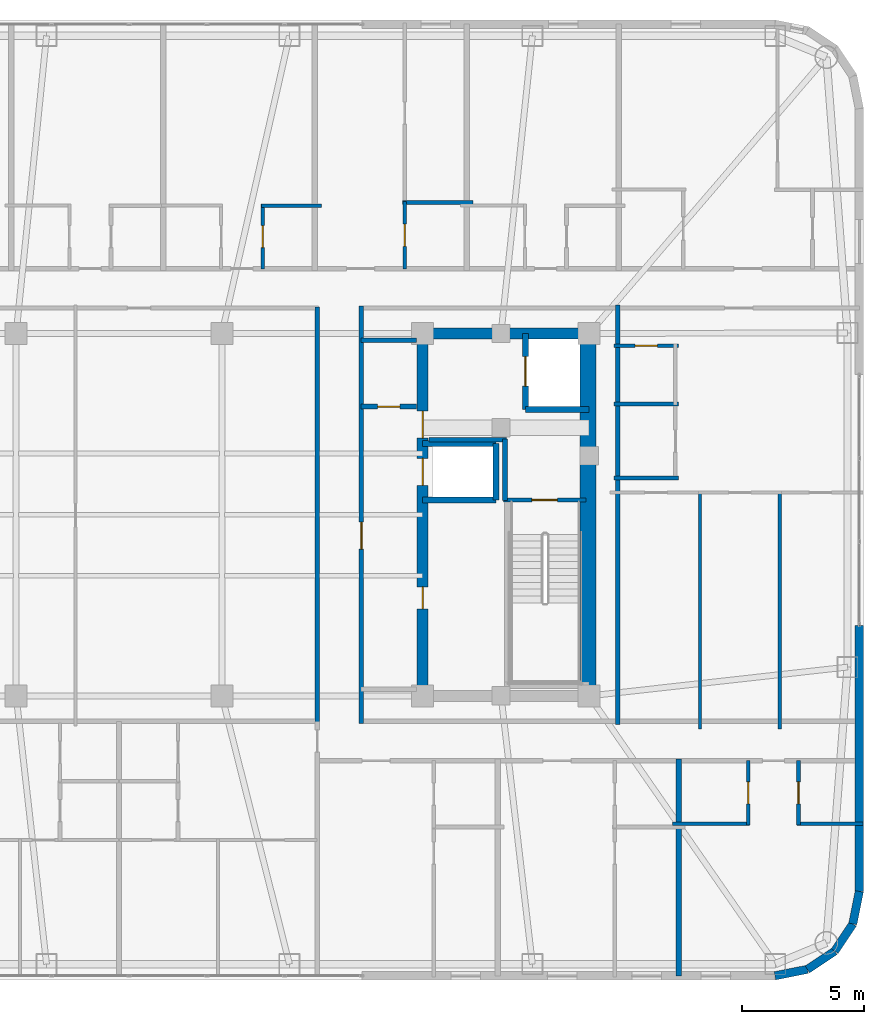
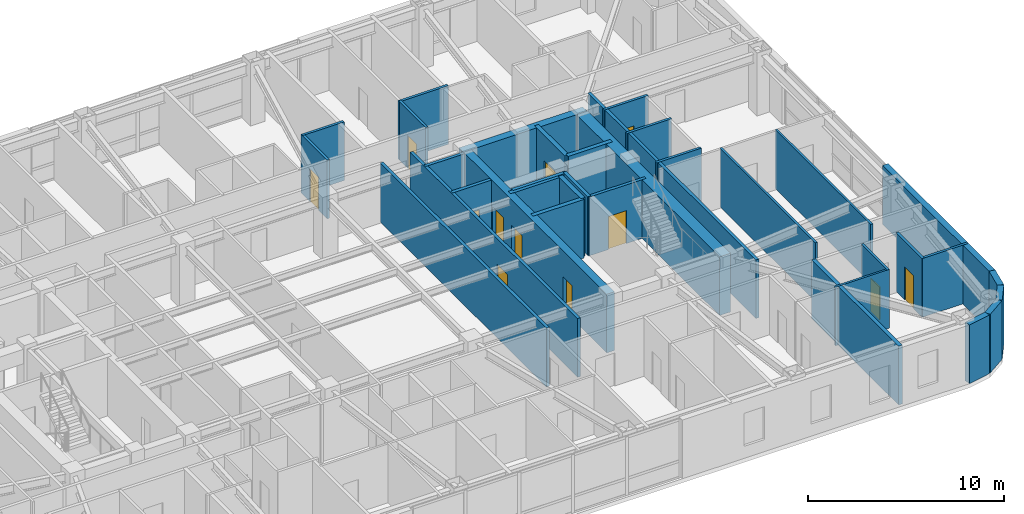
# One storey, part 25 of 29: 35 walls, 12 doors, 12 openings.
"""IFC4 building model written with IfcOpenShell, lengths in metres."""

from ifc_helpers import new_model, si_unit, direction, frame, frame_2d, origin, place, context, subcontext, project, spatial, rectangle, extrude, material, layer, layer_set, type_object, element, fill, save


model = new_model("IFC4")

# Units and contexts
model_context = context("Model", 3, precision=1e-05, world=origin(), true_north=direction((0.0, 1.0)))
body_context = subcontext(model_context, "Body", "Model", "MODEL_VIEW")
ifc_project = project(units=[si_unit("LENGTHUNIT", "METRE"), si_unit("AREAUNIT", "SQUARE_METRE"), si_unit("VOLUMEUNIT", "CUBIC_METRE"), si_unit("PLANEANGLEUNIT", "RADIAN"), si_unit("MASSUNIT", "GRAM", prefix="KILO")], contexts=[model_context])

# Site, building, storey
site_placement = place(None, origin())
site = spatial("IfcSite", under=ifc_project, at=site_placement, CompositionType="ELEMENT")
building_placement = place(site_placement, origin())
building = spatial("IfcBuilding", under=site, at=building_placement, Name="Voryun Gate Residences", CompositionType="ELEMENT")
storey_placement = place(building_placement, frame((0.0, 0.0, 211.89990234375)))
storey = spatial("IfcBuildingStorey", under=building, at=storey_placement, Name="L52", CompositionType="ELEMENT", Elevation=211.89990234375)

# Wall
ifc_material_1 = material(Name="Concrete C50/60", Category="concrete")
ifc_layer_1 = layer(ifc_material_1, 0.449951171875, Name="CW_CORE_450")
ifc_layer_set_1 = layer_set([ifc_layer_1], Name="Concrete C50/60")
wall_type_1 = type_object("IfcWallType", Name="CW_CORE_450", PredefinedType="SHEAR", material=ifc_layer_set_1)
wall_1_placement = place(storey_placement, frame((12.175048828125, 7.39990234375, 0.0), z_axis=(0.0, 0.0, 1.0), x_axis=(1.0, 0.0, 0.0)))
element("IfcWall", 1, at=wall_1_placement, inside=storey, type_object=wall_type_1, Name="L52 Core shear wall CW-L52-EN", PredefinedType="SHEAR", context=body_context, shape_type="SweptSolid", body=[
    extrude(rectangle(XDim=7.25, YDim=0.449951171875, at=frame_2d((3.625, 0.0))), origin(), (0.0, 0.0, 1.0), 3.650146484375),
])

# Wall, openings, doors
wall_2_placement = place(storey_placement, frame((12.39990234375, -7.39990234375, 0.0), z_axis=(0.0, 0.0, 1.0), x_axis=(0.0, 1.0, 0.0)))
wall_2 = element("IfcWall", 2, at=wall_2_placement, inside=storey, type_object=wall_type_1, Name="L52 Core shear wall CW-L52-EW", PredefinedType="SHEAR", context=body_context, shape_type="SweptSolid", body=[
    extrude(rectangle(XDim=14.7998046875, YDim=0.449951171875, at=frame_2d((7.39990234375, 0.0))), origin(), (0.0, 0.0, 1.0), 3.650146484375),
])
opening_1_placement = place(wall_2_placement, frame((8.60009765625, 0.0, 0.0)))
opening_1 = element("IfcOpeningElement", 3, at=opening_1_placement, cuts=wall_2, Name="Opening LD2", PredefinedType="OPENING", context=body_context, shape_type="SweptSolid", body=[
    extrude(rectangle(XDim=1.10009765625, YDim=2.050048828125, at=frame_2d((0.550048828125, 1.02490234375))), frame((0.0, 0.235107421875, 0.0), z_axis=(0.0, -1.0, 0.0), x_axis=(1.0, 0.0, 0.0)), (0.0, 0.0, 1.0), 0.469970703125),
])
opening_2_placement = place(wall_2_placement, frame((10.530029296875, 0.0, 0.0)))
opening_2 = element("IfcOpeningElement", 4, at=opening_2_placement, cuts=wall_2, Name="Opening D-FD60-2", PredefinedType="OPENING", context=body_context, shape_type="SweptSolid", body=[
    extrude(rectangle(XDim=1.10009765625, YDim=2.050048828125, at=frame_2d((0.550048828125, 1.02490234375))), frame((0.0, 0.235107421875, 0.0), z_axis=(0.0, -1.0, 0.0), x_axis=(1.0, 0.0, 0.0)), (0.0, 0.0, 1.0), 0.469970703125),
])
opening_3_placement = place(wall_2_placement, frame((3.550048828125, 0.0, 0.0)))
opening_3 = element("IfcOpeningElement", 5, at=opening_3_placement, cuts=wall_2, Name="Opening D-FD60-4", PredefinedType="OPENING", context=body_context, shape_type="SweptSolid", body=[
    extrude(rectangle(XDim=0.89990234375, YDim=2.050048828125, at=frame_2d((0.449951171875, 1.02490234375))), frame((0.0, 0.235107421875, 0.0), z_axis=(0.0, -1.0, 0.0), x_axis=(1.0, 0.0, 0.0)), (0.0, 0.0, 1.0), 0.469970703125),
])
ifc_material_2 = material(Name="Painted steel fire door", Category="steel")
door_type_1 = type_object("IfcDoorType", Name="DR_FD60_FFLOB_1100", OperationType="NOTDEFINED", PredefinedType="DOOR", material=ifc_material_2)
door_1_placement = place(opening_2_placement, origin())
door_1 = element("IfcDoor", 6, at=door_1_placement, inside=storey, type_object=door_type_1, Name="Door DR-L52-CLOB-E", OperationType="SINGLE_SWING_RIGHT", OverallHeight=2.050048828125, OverallWidth=1.10009765625, PredefinedType="DOOR", context=body_context, shape_type="SweptSolid", body=[
    extrude(rectangle(XDim=1.10009765625, YDim=2.050048828125, at=frame_2d((0.550048828125, 1.02490234375))), frame((0.0, 0.02490234375, 0.0), z_axis=(0.0, -1.0, 0.0), x_axis=(1.0, 0.0, 0.0)), (0.0, 0.0, 1.0), 0.050048828125),
])
fill(opening_2, door_1)
ifc_material_3 = material(Name="Painted steel fire door", Category="steel")
door_type_2 = type_object("IfcDoorType", Name="DR_FD60_RISER_900", OperationType="NOTDEFINED", PredefinedType="DOOR", material=ifc_material_3)
door_2_placement = place(opening_3_placement, origin())
door_2 = element("IfcDoor", 7, at=door_2_placement, inside=storey, type_object=door_type_2, Name="Door DR-L52-RECE-HI", OperationType="SINGLE_SWING_RIGHT", OverallHeight=2.050048828125, OverallWidth=0.89990234375, PredefinedType="DOOR", context=body_context, shape_type="SweptSolid", body=[
    extrude(rectangle(XDim=0.89990234375, YDim=2.050048828125, at=frame_2d((0.449951171875, 1.02490234375))), frame((0.0, 0.02490234375, 0.0), z_axis=(0.0, -1.0, 0.0), x_axis=(1.0, 0.0, 0.0)), (0.0, 0.0, 1.0), 0.050048828125),
])
fill(opening_3, door_2)
ifc_material_4 = material(Name="Anodised aluminium", Category="aluminium")
door_type_3 = type_object("IfcDoorType", Name="DR_LD_PASS_1100", OperationType="NOTDEFINED", PredefinedType="DOOR", material=ifc_material_4)
door_3_placement = place(opening_1_placement, origin())
door_3 = element("IfcDoor", 8, at=door_3_placement, inside=storey, type_object=door_type_3, Name="Lift EL-P8 sliding landing door L52", OperationType="SLIDING_TO_LEFT", OverallHeight=2.050048828125, OverallWidth=1.10009765625, PredefinedType="DOOR", context=body_context, shape_type="SweptSolid", body=[
    extrude(rectangle(XDim=1.10009765625, YDim=2.050048828125, at=frame_2d((0.550048828125, 1.02490234375))), frame((0.0, 0.02490234375, 0.0), z_axis=(0.0, -1.0, 0.0), x_axis=(1.0, 0.0, 0.0)), (0.0, 0.0, 1.0), 0.050048828125),
])
fill(opening_1, door_3)

# Wall
ifc_material_5 = material(Name="Concrete C60/75", Category="concrete")
ifc_layer_2 = layer(ifc_material_5, 0.64990234375, Name="CW_CORE_650")
ifc_layer_set_2 = layer_set([ifc_layer_2], Name="Concrete C60/75")
wall_type_2 = type_object("IfcWallType", Name="CW_CORE_650", PredefinedType="SHEAR", material=ifc_layer_set_2)
wall_3_placement = place(storey_placement, frame((19.14501953125, -7.39990234375, 0.0), z_axis=(0.0, 0.0, 1.0), x_axis=(0.0, 1.0, 0.0)))
element("IfcWall", 9, at=wall_3_placement, inside=storey, type_object=wall_type_2, Name="L52 Core shear wall CW-L52-EE", PredefinedType="SHEAR", context=body_context, shape_type="SweptSolid", body=[
    extrude(rectangle(XDim=14.7998046875, YDim=0.64990234375, at=frame_2d((7.39990234375, 0.0))), origin(), (0.0, 0.0, 1.0), 3.650146484375),
])

# Wall, opening, door
ifc_material_6 = material(Name="Gypsum acoustic fireboard")
ifc_layer_3 = layer(ifc_material_6, 0.179931640625, Name="W_CORR_RATED_180")
ifc_layer_set_3 = layer_set([ifc_layer_3], Name="Gypsum acoustic fireboard")
wall_type_3 = type_object("IfcWallType", Name="W_CORR_RATED_180", PredefinedType="PARTITIONING", material=ifc_layer_set_3)
wall_4_placement = place(storey_placement, frame((15.699951171875, 0.60009765625, 0.0), z_axis=(0.0, 0.0, 1.0), x_axis=(1.0, 0.0, 0.0)))
wall_4 = element("IfcWall", 10, at=wall_4_placement, inside=storey, type_object=wall_type_3, Name="Partition wall WP-L52-STV-E", PredefinedType="PARTITIONING", context=body_context, shape_type="SweptSolid", body=[
    extrude(rectangle(XDim=3.360107421875, YDim=0.179931640625, at=frame_2d((1.68017578125, 0.0))), origin(), (0.0, 0.0, 1.0), 3.650146484375),
])
opening_4_placement = place(wall_4_placement, frame((1.155029296875, 0.0, 0.0)))
opening_4 = element("IfcOpeningElement", 11, at=opening_4_placement, cuts=wall_4, Name="Opening D-FD60-1", PredefinedType="OPENING", context=body_context, shape_type="SweptSolid", body=[
    extrude(rectangle(XDim=1.050048828125, YDim=2.050048828125, at=frame_2d((0.52490234375, 1.02490234375))), frame((0.0, 0.099853515625, 0.0), z_axis=(0.0, -1.0, 0.0), x_axis=(1.0, 0.0, 0.0)), (0.0, 0.0, 1.0), 0.199951171875),
])
ifc_material_7 = material(Name="Painted steel fire door", Category="steel")
door_type_4 = type_object("IfcDoorType", Name="DR_FD60_STAIR_1050", OperationType="NOTDEFINED", PredefinedType="DOOR", material=ifc_material_7)
door_4_placement = place(opening_4_placement, origin())
door_4 = element("IfcDoor", 12, at=door_4_placement, inside=storey, type_object=door_type_4, Name="Door DR-L52-ST-E", OperationType="SINGLE_SWING_RIGHT", OverallHeight=2.050048828125, OverallWidth=1.050048828125, PredefinedType="DOOR", context=body_context, shape_type="SweptSolid", body=[
    extrude(rectangle(XDim=1.050048828125, YDim=2.050048828125, at=frame_2d((0.52490234375, 1.02490234375))), frame((0.0, 0.02490234375, 0.0), z_axis=(0.0, -1.0, 0.0), x_axis=(1.0, 0.0, 0.0)), (0.0, 0.0, 1.0), 0.050048828125),
])
fill(opening_4, door_4)

# Wall
wall_5_placement = place(storey_placement, frame((9.8798828125, 7.1201171875, 0.0), z_axis=(0.0, 0.0, 1.0), x_axis=(1.0, 0.0, 0.0)))
element("IfcWall", 13, at=wall_5_placement, inside=storey, type_object=wall_type_3, Name="Partition wall WP-L52-PLBN-E", PredefinedType="PARTITIONING", context=body_context, shape_type="SweptSolid", body=[
    extrude(rectangle(XDim=2.27001953125, YDim=0.179931640625, at=frame_2d((1.135009765625, 0.0))), origin(), (0.0, 0.0, 1.0), 3.650146484375),
])

# Wall, opening, door
wall_6_placement = place(storey_placement, frame((9.89990234375, -8.530029296875, 0.0), z_axis=(0.0, 0.0, 1.0), x_axis=(0.0, 1.0, 0.0)))
wall_6 = element("IfcWall", 14, at=wall_6_placement, inside=storey, type_object=wall_type_3, Name="Partition wall WP-L52-PLBE-FULL", PredefinedType="PARTITIONING", context=body_context, shape_type="SweptSolid", body=[
    extrude(rectangle(XDim=17.06005859375, YDim=0.179931640625, at=frame_2d((8.530029296875, 0.0))), origin(), (0.0, 0.0, 1.0), 3.650146484375),
])
opening_5_placement = place(wall_6_placement, frame((7.126953125, 0.0, 0.0)))
opening_5 = element("IfcOpeningElement", 15, at=opening_5_placement, cuts=wall_6, Name="Opening D-FD60-2", PredefinedType="OPENING", context=body_context, shape_type="SweptSolid", body=[
    extrude(rectangle(XDim=1.10009765625, YDim=2.050048828125, at=frame_2d((0.550048828125, 1.02490234375))), frame((0.0, 0.099853515625, 0.0), z_axis=(0.0, -1.0, 0.0), x_axis=(1.0, 0.0, 0.0)), (0.0, 0.0, 1.0), 0.199951171875),
])
door_5_placement = place(opening_5_placement, origin())
door_5 = element("IfcDoor", 16, at=door_5_placement, inside=storey, type_object=door_type_1, Name="Door DR-L52-PLBE-COR", OperationType="SINGLE_SWING_RIGHT", OverallHeight=2.050048828125, OverallWidth=1.10009765625, PredefinedType="DOOR", context=body_context, shape_type="SweptSolid", body=[
    extrude(rectangle(XDim=1.10009765625, YDim=2.050048828125, at=frame_2d((0.550048828125, 1.02490234375))), frame((0.0, 0.02490234375, 0.0), z_axis=(0.0, -1.0, 0.0), x_axis=(1.0, 0.0, 0.0)), (0.0, 0.0, 1.0), 0.050048828125),
])
fill(opening_5, door_5)

# Walls
wall_7_placement = place(storey_placement, frame((8.10009765625, -8.47998046875, 0.0), z_axis=(0.0, 0.0, 1.0), x_axis=(0.0, 1.0, 0.0)))
element("IfcWall", 17, at=wall_7_placement, inside=storey, type_object=wall_type_3, Name="Partition wall WP-L52-Z3E", PredefinedType="PARTITIONING", context=body_context, shape_type="SweptSolid", body=[
    extrude(rectangle(XDim=16.9599609375, YDim=0.179931640625, at=frame_2d((8.47998046875, 0.0))), origin(), (0.0, 0.0, 1.0), 3.650146484375),
])
wall_8_placement = place(storey_placement, frame((20.3701171875, -8.56005859375, 0.0), z_axis=(0.0, 0.0, 1.0), x_axis=(0.0, 1.0, 0.0)))
element("IfcWall", 18, at=wall_8_placement, inside=storey, type_object=wall_type_3, Name="Partition wall WP-L52-ECOR", PredefinedType="PARTITIONING", context=body_context, shape_type="SweptSolid", body=[
    extrude(rectangle(XDim=17.1201171875, YDim=0.179931640625, at=frame_2d((8.56005859375, 0.0))), origin(), (0.0, 0.0, 1.0), 3.650146484375),
])
ifc_material_8 = material(Name="Charcoal terracotta masonry", Category="masonry")
ifc_layer_4 = layer(ifc_material_8, 0.340087890625, Name="W_EXT_TERRACOTTA_340")
ifc_layer_set_4 = layer_set([ifc_layer_4], Name="Charcoal terracotta masonry")
wall_type_4 = type_object("IfcWallType", Name="W_EXT_TERRACOTTA_340", PredefinedType="ELEMENTEDWALL", material=ifc_layer_set_4)
wall_9_placement = place(storey_placement, frame((30.22998046875, -4.5146484375, 0.0), z_axis=(0.0, 0.0, 1.0), x_axis=(0.0, -1.0, 0.0)))
element("IfcWall", 19, at=wall_9_placement, inside=storey, type_object=wall_type_4, Name="Exterior wall WEXT-L52-16B", PredefinedType="ELEMENTEDWALL", context=body_context, shape_type="SweptSolid", body=[
    extrude(rectangle(XDim=10.86865234375, YDim=0.340087890625, at=frame_2d((5.434326171875, 0.0))), origin(), (0.0, 0.0, 1.0), 3.650146484375),
])
wall_10_placement = place(storey_placement, frame((30.22998046875, -15.38330078125, 0.0), z_axis=(0.0, 0.0, 1.0), x_axis=(-0.195110379894, -0.98078129043, 0.0)))
element("IfcWall", 20, at=wall_10_placement, inside=storey, type_object=wall_type_4, Name="Exterior wall WEXT-L52-17", PredefinedType="ELEMENTEDWALL", context=body_context, shape_type="SweptSolid", body=[
    extrude(rectangle(XDim=1.35400390625, YDim=0.340087890625, at=frame_2d((0.677001953125, 0.0))), origin(), (0.0, 0.0, 1.0), 3.650146484375),
])
wall_11_placement = place(storey_placement, frame((29.9658203125, -16.711181640625, 0.0), z_axis=(0.0, 0.0, 1.0), x_axis=(-0.555584683399, -0.831459956686, 0.0)))
element("IfcWall", 21, at=wall_11_placement, inside=storey, type_object=wall_type_4, Name="Exterior wall WEXT-L52-18", PredefinedType="ELEMENTEDWALL", context=body_context, shape_type="SweptSolid", body=[
    extrude(rectangle(XDim=1.337158203125, YDim=0.340087890625, at=frame_2d((0.66845703125, 0.0))), origin(), (0.0, 0.0, 1.0), 3.650146484375),
])
wall_12_placement = place(storey_placement, frame((29.222900390625, -17.822998046875, 0.0), z_axis=(0.0, 0.0, 1.0), x_axis=(-0.831403586725, -0.555669034571, 0.0)))
element("IfcWall", 22, at=wall_12_placement, inside=storey, type_object=wall_type_4, Name="Exterior wall WEXT-L52-19", PredefinedType="ELEMENTEDWALL", context=body_context, shape_type="SweptSolid", body=[
    extrude(rectangle(XDim=1.3369140625, YDim=0.340087890625, at=frame_2d((0.66845703125, 0.0))), origin(), (0.0, 0.0, 1.0), 3.650146484375),
])
wall_13_placement = place(storey_placement, frame((28.111328125, -18.56591796875, 0.0), z_axis=(0.0, 0.0, 1.0), x_axis=(-0.980788153188, -0.195075878998, 0.0)))
element("IfcWall", 23, at=wall_13_placement, inside=storey, type_object=wall_type_4, Name="Exterior wall WEXT-L52-20", PredefinedType="ELEMENTEDWALL", context=body_context, shape_type="SweptSolid", body=[
    extrude(rectangle(XDim=1.354248046875, YDim=0.340087890625, at=frame_2d((0.67724609375, 0.0))), origin(), (0.0, 0.0, 1.0), 3.650146484375),
])
ifc_material_9 = material(Name="Concrete C40/50", Category="concrete")
ifc_layer_5 = layer(ifc_material_9, 0.199951171875, Name="W_FF_LOBBY_200")
ifc_layer_set_5 = layer_set([ifc_layer_5], Name="Concrete C40/50")
wall_type_5 = type_object("IfcWallType", Name="W_FF_LOBBY_200", PredefinedType="PARTITIONING", material=ifc_layer_set_5)
wall_14_placement = place(storey_placement, frame((15.760009765625, 0.580078125, 0.0), z_axis=(0.0, 0.0, 1.0), x_axis=(0.0, 1.0, 0.0)))
element("IfcWall", 24, at=wall_14_placement, inside=storey, type_object=wall_type_5, Name="Partition wall WP-L52-FFP0-E", PredefinedType="PARTITIONING", context=body_context, shape_type="SweptSolid", body=[
    extrude(rectangle(XDim=2.52001953125, YDim=0.199951171875, at=frame_2d((1.260009765625, 0.0))), origin(), (0.0, 0.0, 1.0), 3.650146484375),
])
wall_15_placement = place(storey_placement, frame((12.659912109375, 3.06005859375, 0.0), z_axis=(0.0, 0.0, 1.0), x_axis=(1.0, 0.0, 0.0)))
element("IfcWall", 25, at=wall_15_placement, inside=storey, type_object=wall_type_5, Name="Partition wall WP-L52-FFPS-E", PredefinedType="PARTITIONING", context=body_context, shape_type="SweptSolid", body=[
    extrude(rectangle(XDim=3.16015625, YDim=0.199951171875, at=frame_2d((1.580078125, 0.0))), origin(), (0.0, 0.0, 1.0), 3.650146484375),
])

# Wall, opening, door
wall_16_placement = place(storey_placement, frame((9.8798828125, 4.409912109375, 0.0), z_axis=(0.0, 0.0, 1.0), x_axis=(1.0, 0.0, 0.0)))
wall_16 = element("IfcWall", 26, at=wall_16_placement, inside=storey, type_object=wall_type_5, Name="Partition wall WP-L52-CSFLKS-E", PredefinedType="PARTITIONING", context=body_context, shape_type="SweptSolid", body=[
    extrude(rectangle(XDim=2.27001953125, YDim=0.199951171875, at=frame_2d((1.135009765625, 0.0))), origin(), (0.0, 0.0, 1.0), 3.650146484375),
])
opening_6_placement = place(wall_16_placement, frame((0.68505859375, 0.0, 0.0)))
opening_6 = element("IfcOpeningElement", 27, at=opening_6_placement, cuts=wall_16, Name="Opening D-FD60-4", PredefinedType="OPENING", context=body_context, shape_type="SweptSolid", body=[
    extrude(rectangle(XDim=0.89990234375, YDim=2.050048828125, at=frame_2d((0.449951171875, 1.02490234375))), frame((0.0, 0.110107421875, 0.0), z_axis=(0.0, -1.0, 0.0), x_axis=(1.0, 0.0, 0.0)), (0.0, 0.0, 1.0), 0.219970703125),
])
door_6_placement = place(opening_6_placement, origin())
door_6 = element("IfcDoor", 28, at=door_6_placement, inside=storey, type_object=door_type_2, Name="Door DR-L52-CSFLK-E", OperationType="SINGLE_SWING_RIGHT", OverallHeight=2.050048828125, OverallWidth=0.89990234375, PredefinedType="DOOR", context=body_context, shape_type="SweptSolid", body=[
    extrude(rectangle(XDim=0.89990234375, YDim=2.050048828125, at=frame_2d((0.449951171875, 1.02490234375))), frame((0.0, 0.02490234375, 0.0), z_axis=(0.0, -1.0, 0.0), x_axis=(1.0, 0.0, 0.0)), (0.0, 0.0, 1.0), 0.050048828125),
])
fill(opening_6, door_6)

# Walls
ifc_material_10 = material(Name="Concrete C40/50", Category="concrete")
ifc_layer_6 = layer(ifc_material_10, 0.219970703125, Name="W_PARTY_ACOUSTIC_220")
ifc_layer_set_6 = layer_set([ifc_layer_6], Name="Concrete C40/50")
wall_type_6 = type_object("IfcWallType", Name="W_PARTY_ACOUSTIC_220", PredefinedType="PARTITIONING", material=ifc_layer_set_6)
wall_17_placement = place(storey_placement, frame((22.85107421875, -18.830078125, 0.0), z_axis=(0.0, 0.0, 1.0), x_axis=(0.0, 1.0, 0.0)))
element("IfcWall", 29, at=wall_17_placement, inside=storey, type_object=wall_type_6, Name="Partition wall WP-L52-SPTY-6", PredefinedType="PARTITIONING", context=body_context, shape_type="SweptSolid", body=[
    extrude(rectangle(XDim=8.860107421875, YDim=0.219970703125, at=frame_2d((4.43017578125, 0.0))), origin(), (0.0, 0.0, 1.0), 3.650146484375),
])
ifc_material_11 = material(Name="Concrete C50/60", Category="concrete")
ifc_layer_7 = layer(ifc_material_11, 0.25, Name="W_SHAFT_RC250")
ifc_layer_set_7 = layer_set([ifc_layer_7], Name="Concrete C50/60")
wall_type_7 = type_object("IfcWallType", Name="W_SHAFT_RC250", PredefinedType="SOLIDWALL", material=ifc_layer_set_7)
wall_18_placement = place(storey_placement, frame((16.60009765625, 4.300048828125, 0.0), z_axis=(0.0, 0.0, 1.0), x_axis=(1.0, 0.0, 0.0)))
element("IfcWall", 30, at=wall_18_placement, inside=storey, type_object=wall_type_7, Name="Lift shaft wall WSH-L52-EL-FF-E1-S", PredefinedType="SOLIDWALL", context=body_context, shape_type="SweptSolid", body=[
    extrude(rectangle(XDim=2.599853515625, YDim=0.25, at=frame_2d((1.2998046875, 0.0))), origin(), (0.0, 0.0, 1.0), 3.650146484375),
])

# Wall, opening, door
wall_19_placement = place(storey_placement, frame((16.60009765625, 7.39990234375, 0.0), z_axis=(0.0, 0.0, 1.0), x_axis=(0.0, -1.0, 0.0)))
wall_19 = element("IfcWall", 31, at=wall_19_placement, inside=storey, type_object=wall_type_7, Name="Lift shaft wall WSH-L52-EL-FF-E1-W", PredefinedType="SOLIDWALL", context=body_context, shape_type="SweptSolid", body=[
    extrude(rectangle(XDim=3.099853515625, YDim=0.25, at=frame_2d((1.5498046875, 0.0))), origin(), (0.0, 0.0, 1.0), 3.650146484375),
])
opening_7_placement = place(wall_19_placement, frame((0.949951171875, 0.0, 0.0)))
opening_7 = element("IfcOpeningElement", 32, at=opening_7_placement, cuts=wall_19, Name="Opening LD1", PredefinedType="OPENING", context=body_context, shape_type="SweptSolid", body=[
    extrude(rectangle(XDim=1.199951171875, YDim=2.050048828125, at=frame_2d((0.60009765625, 1.02490234375))), frame((0.0, 0.135009765625, 0.0), z_axis=(0.0, -1.0, 0.0), x_axis=(1.0, 0.0, 0.0)), (0.0, 0.0, 1.0), 0.27001953125),
])
ifc_material_12 = material(Name="Anodised aluminium", Category="aluminium")
door_type_5 = type_object("IfcDoorType", Name="DR_LD_FF_1200", OperationType="NOTDEFINED", PredefinedType="DOOR", material=ifc_material_12)
door_7_placement = place(opening_7_placement, origin())
door_7 = element("IfcDoor", 33, at=door_7_placement, inside=storey, type_object=door_type_5, Name="Lift EL-FF-E1 sliding landing door L52", OperationType="SLIDING_TO_LEFT", OverallHeight=2.050048828125, OverallWidth=1.199951171875, PredefinedType="DOOR", context=body_context, shape_type="SweptSolid", body=[
    extrude(rectangle(XDim=1.199951171875, YDim=2.050048828125, at=frame_2d((0.60009765625, 1.02490234375))), frame((0.0, 0.02490234375, 0.0), z_axis=(0.0, -1.0, 0.0), x_axis=(1.0, 0.0, 0.0)), (0.0, 0.0, 1.0), 0.050048828125),
])
fill(opening_7, door_7)

# Walls
wall_20_placement = place(storey_placement, frame((12.39990234375, 0.60009765625, 0.0), z_axis=(0.0, 0.0, 1.0), x_axis=(1.0, 0.0, 0.0)))
element("IfcWall", 34, at=wall_20_placement, inside=storey, type_object=wall_type_7, Name="Lift shaft wall WSH-L52-EL-P8-S", PredefinedType="SOLIDWALL", context=body_context, shape_type="SweptSolid", body=[
    extrude(rectangle(XDim=3.0, YDim=0.25, at=frame_2d((1.5, 0.0))), origin(), (0.0, 0.0, 1.0), 3.650146484375),
])
wall_21_placement = place(storey_placement, frame((15.39990234375, 0.60009765625, 0.0), z_axis=(0.0, 0.0, 1.0), x_axis=(0.0, 1.0, 0.0)))
element("IfcWall", 35, at=wall_21_placement, inside=storey, type_object=wall_type_7, Name="Lift shaft wall WSH-L52-EL-P8-E", PredefinedType="SOLIDWALL", context=body_context, shape_type="SweptSolid", body=[
    extrude(rectangle(XDim=2.2998046875, YDim=0.25, at=frame_2d((1.14990234375, 0.0))), origin(), (0.0, 0.0, 1.0), 3.650146484375),
])
wall_22_placement = place(storey_placement, frame((15.39990234375, 2.89990234375, 0.0), z_axis=(0.0, 0.0, 1.0), x_axis=(-1.0, 0.0, 0.0)))
element("IfcWall", 36, at=wall_22_placement, inside=storey, type_object=wall_type_7, Name="Lift shaft wall WSH-L52-EL-P8-N", PredefinedType="SOLIDWALL", context=body_context, shape_type="SweptSolid", body=[
    extrude(rectangle(XDim=3.0, YDim=0.25, at=frame_2d((1.5, 0.0))), origin(), (0.0, 0.0, 1.0), 3.650146484375),
])

# Wall, opening, door
ifc_material_13 = material(Name="Gypsum acoustic partition")
ifc_layer_8 = layer(ifc_material_13, 0.125, Name="W_UNIT_PART_125")
ifc_layer_set_8 = layer_set([ifc_layer_8], Name="Gypsum acoustic partition")
wall_type_8 = type_object("IfcWallType", Name="W_UNIT_PART_125", PredefinedType="PARTITIONING", material=ifc_layer_set_8)
wall_23_placement = place(storey_placement, frame((25.695068359375, -12.679931640625, 0.0), z_axis=(0.0, 0.0, 1.0), x_axis=(0.0, 1.0, 0.0)))
wall_23 = element("IfcWall", 37, at=wall_23_placement, inside=storey, type_object=wall_type_8, Name="Partition wall WP-L52-S7-CVK", PredefinedType="PARTITIONING", context=body_context, shape_type="SweptSolid", body=[
    extrude(rectangle(XDim=2.64990234375, YDim=0.125, at=frame_2d((1.324951171875, 0.0))), origin(), (0.0, 0.0, 1.0), 3.650146484375),
])
opening_8_placement = place(wall_23_placement, frame((0.875, 0.0, 0.0)))
opening_8 = element("IfcOpeningElement", 38, at=opening_8_placement, cuts=wall_23, Name="Opening D-INT-2", PredefinedType="OPENING", context=body_context, shape_type="SweptSolid", body=[
    extrude(rectangle(XDim=0.89990234375, YDim=2.050048828125, at=frame_2d((0.449951171875, 1.02490234375))), frame((0.0, 0.072509765625, 0.0), z_axis=(0.0, -1.0, 0.0), x_axis=(1.0, 0.0, 0.0)), (0.0, 0.0, 1.0), 0.14501953125),
])
ifc_material_14 = material(Name="Architectural oak veneer")
door_type_6 = type_object("IfcDoorType", Name="DR_INT_BATH_900", OperationType="NOTDEFINED", PredefinedType="DOOR", material=ifc_material_14)
door_8_placement = place(opening_8_placement, origin())
door_8 = element("IfcDoor", 39, at=door_8_placement, inside=storey, type_object=door_type_6, Name="Door DR-L52-S7-DK", OperationType="SINGLE_SWING_LEFT", OverallHeight=2.050048828125, OverallWidth=0.89990234375, PredefinedType="DOOR", context=body_context, shape_type="SweptSolid", body=[
    extrude(rectangle(XDim=0.89990234375, YDim=2.050048828125, at=frame_2d((0.449951171875, 1.02490234375))), frame((0.0, 0.02490234375, 0.0), z_axis=(0.0, -1.0, 0.0), x_axis=(1.0, 0.0, 0.0)), (0.0, 0.0, 1.0), 0.050048828125),
])
fill(opening_8, door_8)

# Walls
wall_24_placement = place(storey_placement, frame((22.591064453125, -12.6201171875, 0.0), z_axis=(0.0, 0.0, 1.0), x_axis=(1.0, 0.0, 0.0)))
element("IfcWall", 40, at=wall_24_placement, inside=storey, type_object=wall_type_8, Name="Partition wall WP-L52-S7-CHK", PredefinedType="PARTITIONING", context=body_context, shape_type="SweptSolid", body=[
    extrude(rectangle(XDim=3.163818359375, YDim=0.125, at=frame_2d((1.58203125, 0.0))), origin(), (0.0, 0.0, 1.0), 3.650146484375),
])
for number, where, z_axis, x_axis, name in (
    (41, (26.98095703125, -8.760009765625, 0.0), (0.0, 0.0, 1.0), (0.0, 1.0, 0.0), "Partition wall WP-L52-E1-VMB2"),
    (42, (23.72509765625, -8.760009765625, 0.0), (0.0, 0.0, 1.0), (0.0, 1.0, 0.0), "Partition wall WP-L52-E1-VMB"),
):
    element("IfcWall", number, at=place(storey_placement, frame(where, z_axis=z_axis, x_axis=x_axis)), inside=storey, type_object=wall_type_8, Name=name, PredefinedType="PARTITIONING", context=body_context, shape_type="SweptSolid", body=[
        extrude(rectangle(XDim=9.72998046875, YDim=0.125, at=frame_2d((4.864990234375, 0.0))), origin(), (0.0, 0.0, 1.0), 3.650146484375),
    ])

# Wall, opening, door
ifc_material_15 = material(Name="Gypsum moisture-resistant partition")
ifc_layer_9 = layer(ifc_material_15, 0.14990234375, Name="W_WET_PLUMB_150")
ifc_layer_set_9 = layer_set([ifc_layer_9], Name="Gypsum moisture-resistant partition")
wall_type_9 = type_object("IfcWallType", Name="W_WET_PLUMB_150", PredefinedType="PLUMBINGWALL", material=ifc_layer_set_9)
wall_25_placement = place(storey_placement, frame((5.873046875, 10.030029296875, 0.0), z_axis=(0.0, 0.0, 1.0), x_axis=(0.0, 1.0, 0.0)))
wall_25 = element("IfcWall", 43, at=wall_25_placement, inside=storey, type_object=wall_type_9, Name="Partition wall WP-L52-N5-CVB", PredefinedType="PLUMBINGWALL", context=body_context, shape_type="SweptSolid", body=[
    extrude(rectangle(XDim=2.64990234375, YDim=0.14990234375, at=frame_2d((1.324951171875, 0.0))), origin(), (0.0, 0.0, 1.0), 3.650146484375),
])
opening_9_placement = place(wall_25_placement, frame((0.875, 0.0, 0.0)))
opening_9 = element("IfcOpeningElement", 44, at=opening_9_placement, cuts=wall_25, Name="Opening D-INT-2", PredefinedType="OPENING", context=body_context, shape_type="SweptSolid", body=[
    extrude(rectangle(XDim=0.89990234375, YDim=2.050048828125, at=frame_2d((0.449951171875, 1.02490234375))), frame((0.0, 0.0849609375, 0.0), z_axis=(0.0, -1.0, 0.0), x_axis=(1.0, 0.0, 0.0)), (0.0, 0.0, 1.0), 0.169921875),
])
door_9_placement = place(opening_9_placement, origin())
door_9 = element("IfcDoor", 45, at=door_9_placement, inside=storey, type_object=door_type_6, Name="Door DR-L52-N5-DB", OperationType="SINGLE_SWING_RIGHT", OverallHeight=2.050048828125, OverallWidth=0.89990234375, PredefinedType="DOOR", context=body_context, shape_type="SweptSolid", body=[
    extrude(rectangle(XDim=0.89990234375, YDim=2.050048828125, at=frame_2d((0.449951171875, 1.02490234375))), frame((0.0, 0.02490234375, 0.0), z_axis=(0.0, -1.0, 0.0), x_axis=(1.0, 0.0, 0.0)), (0.0, 0.0, 1.0), 0.050048828125),
])
fill(opening_9, door_9)

# Walls
wall_26_placement = place(storey_placement, frame((5.81298828125, 12.6201171875, 0.0), z_axis=(0.0, 0.0, 1.0), x_axis=(1.0, 0.0, 0.0)))
element("IfcWall", 46, at=wall_26_placement, inside=storey, type_object=wall_type_9, Name="Partition wall WP-L52-N5-CHB", PredefinedType="PLUMBINGWALL", context=body_context, shape_type="SweptSolid", body=[
    extrude(rectangle(XDim=2.447021484375, YDim=0.14990234375, at=frame_2d((1.2236328125, 0.0))), origin(), (0.0, 0.0, 1.0), 3.650146484375),
])
wall_27_placement = place(storey_placement, frame((11.5849609375, 12.75, 0.0), z_axis=(0.0, 0.0, 1.0), x_axis=(1.0, 0.0, 0.0)))
element("IfcWall", 47, at=wall_27_placement, inside=storey, type_object=wall_type_9, Name="Partition wall WP-L52-N6-SKB", PredefinedType="PLUMBINGWALL", context=body_context, shape_type="SweptSolid", body=[
    extrude(rectangle(XDim=2.875, YDim=0.14990234375, at=frame_2d((1.4375, 0.0))), origin(), (0.0, 0.0, 1.0), 3.650146484375),
])

# Wall, opening, door
wall_28_placement = place(storey_placement, frame((11.6650390625, 10.030029296875, 0.0), z_axis=(0.0, 0.0, 1.0), x_axis=(0.0, 1.0, 0.0)))
wall_28 = element("IfcWall", 48, at=wall_28_placement, inside=storey, type_object=wall_type_9, Name="Partition wall WP-L52-N6-SVT1", PredefinedType="PLUMBINGWALL", context=body_context, shape_type="SweptSolid", body=[
    extrude(rectangle(XDim=2.760009765625, YDim=0.14990234375, at=frame_2d((1.3798828125, 0.0))), origin(), (0.0, 0.0, 1.0), 3.650146484375),
])
opening_10_placement = place(wall_28_placement, frame((0.929931640625, 0.0, 0.0)))
opening_10 = element("IfcOpeningElement", 49, at=opening_10_placement, cuts=wall_28, Name="Opening D-INT-2", PredefinedType="OPENING", context=body_context, shape_type="SweptSolid", body=[
    extrude(rectangle(XDim=0.89990234375, YDim=2.050048828125, at=frame_2d((0.449951171875, 1.02490234375))), frame((0.0, 0.0849609375, 0.0), z_axis=(0.0, -1.0, 0.0), x_axis=(1.0, 0.0, 0.0)), (0.0, 0.0, 1.0), 0.169921875),
])
door_10_placement = place(opening_10_placement, origin())
door_10 = element("IfcDoor", 50, at=door_10_placement, inside=storey, type_object=door_type_6, Name="Door DR-L52-N6-DB", OperationType="SINGLE_SWING_LEFT", OverallHeight=2.050048828125, OverallWidth=0.89990234375, PredefinedType="DOOR", context=body_context, shape_type="SweptSolid", body=[
    extrude(rectangle(XDim=0.89990234375, YDim=2.050048828125, at=frame_2d((0.449951171875, 1.02490234375))), frame((0.0, 0.02490234375, 0.0), z_axis=(0.0, -1.0, 0.0), x_axis=(1.0, 0.0, 0.0)), (0.0, 0.0, 1.0), 0.050048828125),
])
fill(opening_10, door_10)

wall_29_placement = place(storey_placement, frame((27.74609375, -12.679931640625, 0.0), z_axis=(0.0, 0.0, 1.0), x_axis=(0.0, 1.0, 0.0)))
wall_29 = element("IfcWall", 51, at=wall_29_placement, inside=storey, type_object=wall_type_9, Name="Partition wall WP-L52-S7-CVB", PredefinedType="PLUMBINGWALL", context=body_context, shape_type="SweptSolid", body=[
    extrude(rectangle(XDim=2.64990234375, YDim=0.14990234375, at=frame_2d((1.324951171875, 0.0))), origin(), (0.0, 0.0, 1.0), 3.650146484375),
])
opening_11_placement = place(wall_29_placement, frame((0.875, 0.0, 0.0)))
opening_11 = element("IfcOpeningElement", 52, at=opening_11_placement, cuts=wall_29, Name="Opening D-INT-2", PredefinedType="OPENING", context=body_context, shape_type="SweptSolid", body=[
    extrude(rectangle(XDim=0.89990234375, YDim=2.050048828125, at=frame_2d((0.449951171875, 1.02490234375))), frame((0.0, 0.0849609375, 0.0), z_axis=(0.0, -1.0, 0.0), x_axis=(1.0, 0.0, 0.0)), (0.0, 0.0, 1.0), 0.169921875),
])
door_11_placement = place(opening_11_placement, origin())
door_11 = element("IfcDoor", 53, at=door_11_placement, inside=storey, type_object=door_type_6, Name="Door DR-L52-S7-DB", OperationType="SINGLE_SWING_RIGHT", OverallHeight=2.050048828125, OverallWidth=0.89990234375, PredefinedType="DOOR", context=body_context, shape_type="SweptSolid", body=[
    extrude(rectangle(XDim=0.89990234375, YDim=2.050048828125, at=frame_2d((0.449951171875, 1.02490234375))), frame((0.0, 0.02490234375, 0.0), z_axis=(0.0, -1.0, 0.0), x_axis=(1.0, 0.0, 0.0)), (0.0, 0.0, 1.0), 0.050048828125),
])
fill(opening_11, door_11)

# Wall
wall_30_placement = place(storey_placement, frame((27.68603515625, -12.6201171875, 0.0), z_axis=(0.0, 0.0, 1.0), x_axis=(1.0, 0.0, 0.0)))
element("IfcWall", 54, at=wall_30_placement, inside=storey, type_object=wall_type_9, Name="Partition wall WP-L52-S7-CHB", PredefinedType="PLUMBINGWALL", context=body_context, shape_type="SweptSolid", body=[
    extrude(rectangle(XDim=2.69384765625, YDim=0.14990234375, at=frame_2d((1.346923828125, 0.0))), origin(), (0.0, 0.0, 1.0), 3.650146484375),
])

# Wall, opening, door
wall_31_placement = place(storey_placement, frame((20.219970703125, 6.89990234375, 0.0), z_axis=(0.0, 0.0, 1.0), x_axis=(1.0, 0.0, 0.0)))
wall_31 = element("IfcWall", 55, at=wall_31_placement, inside=storey, type_object=wall_type_9, Name="Partition wall WP-L52-E1-IBT", PredefinedType="PLUMBINGWALL", context=body_context, shape_type="SweptSolid", body=[
    extrude(rectangle(XDim=2.6201171875, YDim=0.14990234375, at=frame_2d((1.31005859375, 0.0))), origin(), (0.0, 0.0, 1.0), 3.650146484375),
])
opening_12_placement = place(wall_31_placement, frame((0.860107421875, 0.0, 0.0)))
opening_12 = element("IfcOpeningElement", 56, at=opening_12_placement, cuts=wall_31, Name="Opening D-INT-2", PredefinedType="OPENING", context=body_context, shape_type="SweptSolid", body=[
    extrude(rectangle(XDim=0.89990234375, YDim=2.050048828125, at=frame_2d((0.449951171875, 1.02490234375))), frame((0.0, 0.0849609375, 0.0), z_axis=(0.0, -1.0, 0.0), x_axis=(1.0, 0.0, 0.0)), (0.0, 0.0, 1.0), 0.169921875),
])
door_12_placement = place(opening_12_placement, origin())
door_12 = element("IfcDoor", 57, at=door_12_placement, inside=storey, type_object=door_type_6, Name="Door DR-L52-E1-DK", OperationType="SINGLE_SWING_LEFT", OverallHeight=2.050048828125, OverallWidth=0.89990234375, PredefinedType="DOOR", context=body_context, shape_type="SweptSolid", body=[
    extrude(rectangle(XDim=0.89990234375, YDim=2.050048828125, at=frame_2d((0.449951171875, 1.02490234375))), frame((0.0, 0.02490234375, 0.0), z_axis=(0.0, -1.0, 0.0), x_axis=(1.0, 0.0, 0.0)), (0.0, 0.0, 1.0), 0.050048828125),
])
fill(opening_12, door_12)

# Walls
for number, where, z_axis, x_axis, name in (
    (58, (20.219970703125, 4.52001953125, 0.0), (0.0, 0.0, 1.0), (1.0, 0.0, 0.0), "Partition wall WP-L52-E1-IKB"),
    (59, (20.219970703125, 1.5, 0.0), (0.0, 0.0, 1.0), (1.0, 0.0, 0.0), "Partition wall WP-L52-E1-IBB"),
):
    element("IfcWall", number, at=place(storey_placement, frame(where, z_axis=z_axis, x_axis=x_axis)), inside=storey, type_object=wall_type_9, Name=name, PredefinedType="PLUMBINGWALL", context=body_context, shape_type="SweptSolid", body=[
        extrude(rectangle(XDim=2.6201171875, YDim=0.14990234375, at=frame_2d((1.31005859375, 0.0))), origin(), (0.0, 0.0, 1.0), 3.650146484375),
    ])

save(model, "model.ifc")
